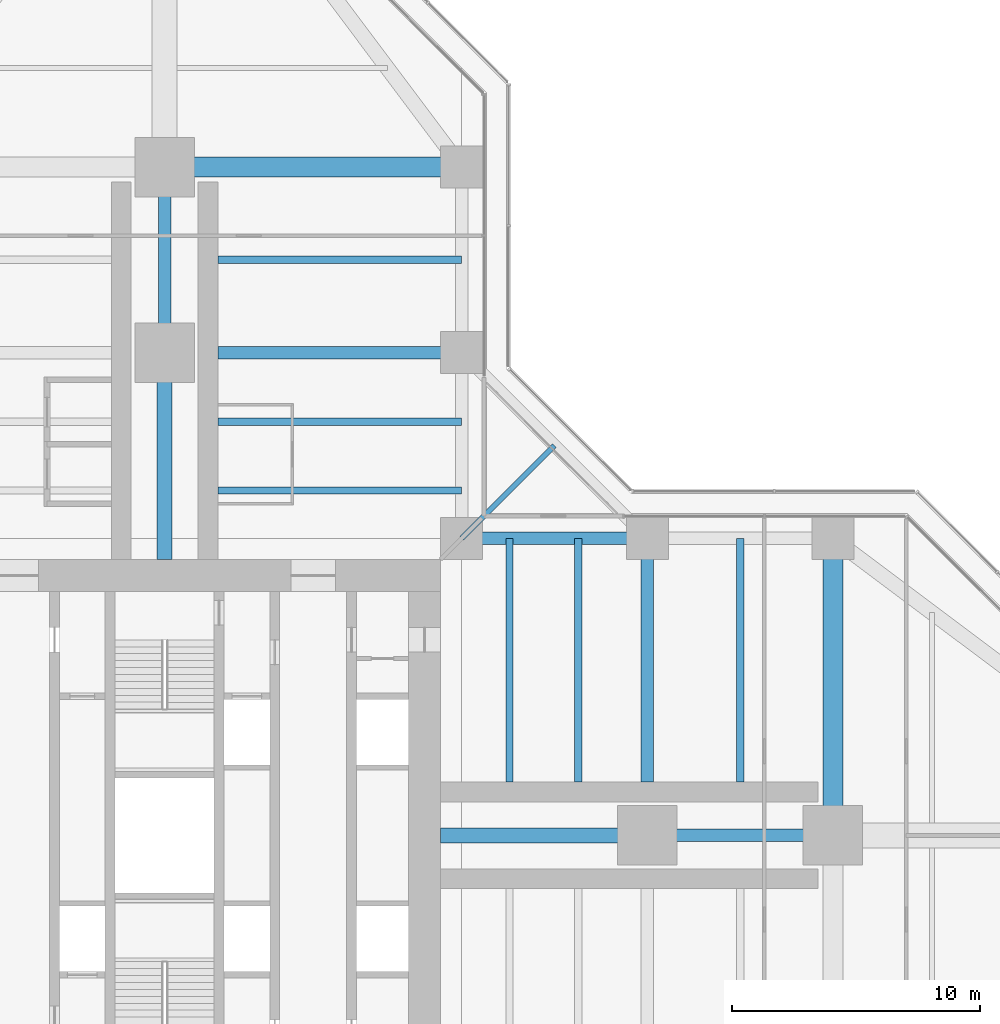
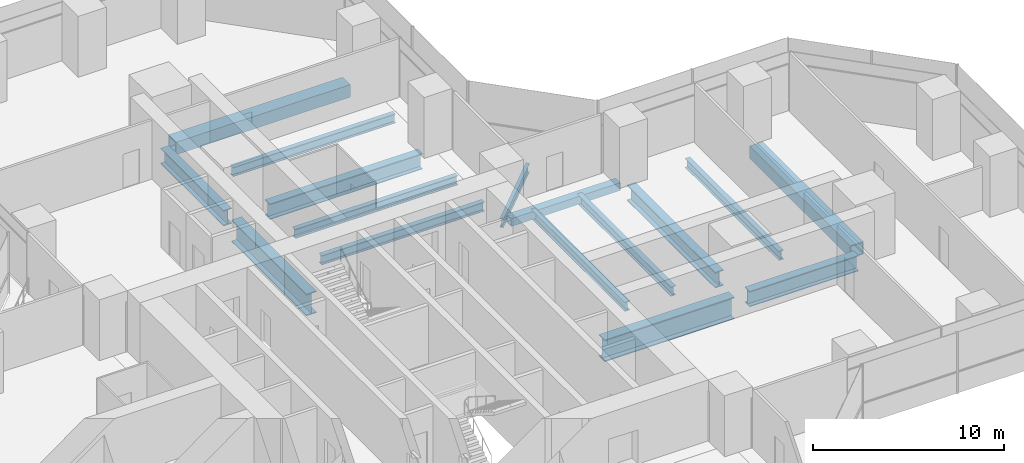
# One storey, part 10 of 22: 16 beams.
"""IFC4 building model written with IfcOpenShell, lengths in metres."""

from ifc_helpers import new_model, si_unit, direction, frame, origin, origin_2d, place, context, subcontext, project, spatial, hollow_rectangle, i_section, extrude, material, material_profile, profile_set, type_object, element, save


model = new_model("IFC4")

# Units and contexts
model_context = context("Model", 3, precision=1e-05, world=origin(), true_north=direction((0.0, 1.0)))
body_context = subcontext(model_context, "Body", "Model", "MODEL_VIEW")
ifc_project = project(units=[si_unit("LENGTHUNIT", "METRE"), si_unit("AREAUNIT", "SQUARE_METRE"), si_unit("VOLUMEUNIT", "CUBIC_METRE"), si_unit("PLANEANGLEUNIT", "RADIAN"), si_unit("MASSUNIT", "GRAM", prefix="KILO")], contexts=[model_context])

# Site, building, storey
site_placement = place(None, origin())
site = spatial("IfcSite", under=ifc_project, at=site_placement, CompositionType="ELEMENT")
building_placement = place(site_placement, origin())
building = spatial("IfcBuilding", under=site, at=building_placement, Name="Mizan Broadcast Tower", CompositionType="ELEMENT")
storey_placement = place(building_placement, frame((0.0, 0.0, 70.800048828125)))
storey = spatial("IfcBuildingStorey", under=building, at=storey_placement, Name="L14", CompositionType="ELEMENT", Elevation=70.800048828125)

# Beams
ifc_material_1 = material(Name="Steel S355", Category="steel")
ifc_material_profile_1 = material_profile(ifc_material_1, hollow_rectangle(XDim=0.5, YDim=0.5, WallThickness=0.030029296875, at=origin_2d()), Name="BOX 500x500x30")
ifc_profile_set_1 = profile_set([ifc_material_profile_1], Name="Steel S355")
beam_type_1 = type_object("IfcBeamType", Name="EDGE BEAM BOX 500x500x30", PredefinedType="SPANDREL", material=ifc_profile_set_1)
beam_1_placement = place(storey_placement, frame((12.449951171875, 12.0, -0.380126953125), z_axis=(1.0, 0.0, 0.0), x_axis=(0.0, 1.0, 0.0)))
element("IfcBeam", 1, at=beam_1_placement, inside=storey, type_object=beam_type_1, Name="Edge beam BOX 500x500x30 L14 east arm", PredefinedType="SPANDREL", context=body_context, shape_type="SweptSolid", body=[
    extrude(hollow_rectangle(XDim=0.5, YDim=0.5, WallThickness=0.030029296875, at=origin_2d()), origin(), (0.0, 0.0, 1.0), 6.60009765625),
])
ifc_material_2 = material(Name="Steel S460", Category="steel")
ifc_material_profile_2 = material_profile(ifc_material_2, hollow_rectangle(XDim=0.800048828125, YDim=0.800048828125, WallThickness=0.050048828125, at=origin_2d()), Name="BOX 800x800x50")
ifc_profile_set_2 = profile_set([ifc_material_profile_2], Name="Steel S460")
beam_type_2 = type_object("IfcBeamType", Name="GIRDER BOX 800x800x50", PredefinedType="BEAM", material=ifc_profile_set_2)
for number, where, z_axis, x_axis, name in (
    (2, (27.0, 11.280029296875, -0.530029296875), (0.0, -1.0, 0.0), (1.0, 0.0, 0.0), "Girder BOX 800x800x50 L14 east arm"),
    (3, (11.280029296875, 27.0, -0.530029296875), (-1.0, 0.0, 0.0), (0.0, -1.0, 0.0), "Girder BOX 800x800x50 L14 north arm"),
):
    element("IfcBeam", number, at=place(storey_placement, frame(where, z_axis=z_axis, x_axis=x_axis)), inside=storey, type_object=beam_type_2, Name=name, PredefinedType="BEAM", context=body_context, shape_type="SweptSolid", body=[
        extrude(hollow_rectangle(XDim=0.800048828125, YDim=0.800048828125, WallThickness=0.050048828125, at=origin_2d()), origin(), (0.0, 0.0, 1.0), 10.56005859375),
    ])
ifc_material_3 = material(Name="Steel S460", Category="steel")
ifc_material_profile_3 = material_profile(ifc_material_3, i_section(OverallWidth=0.5, OverallDepth=1.0, WebThickness=0.02490234375, FlangeThickness=0.050048828125, at=origin_2d()), Name="WPG 1000x500")
ifc_profile_set_3 = profile_set([ifc_material_profile_3], Name="Steel S460")
beam_type_3 = type_object("IfcBeamType", Name="GIRDER WPG 1000x500", PredefinedType="BEAM", material=ifc_profile_set_3)
beam_2_placement = place(storey_placement, frame((19.949951171875, 0.0, -0.630126953125), z_axis=(1.0, 0.0, 0.0), x_axis=(0.0, 1.0, 0.0)))
element("IfcBeam", 4, at=beam_2_placement, inside=storey, type_object=beam_type_3, Name="Girder WPG 1000x500 L14 east arm", PredefinedType="BEAM", context=body_context, shape_type="SweptSolid", body=[
    extrude(i_section(OverallWidth=0.5, OverallDepth=1.0, WebThickness=0.02490234375, FlangeThickness=0.050048828125, at=origin_2d()), origin(), (0.0, 0.0, 1.0), 6.60009765625),
])
beam_3_placement = place(storey_placement, frame((19.5, 11.408935546875, -0.630126953125), z_axis=(0.0, -1.0, 0.0), x_axis=(1.0, 0.0, 0.0)))
element("IfcBeam", 5, at=beam_3_placement, inside=storey, type_object=beam_type_3, Name="Girder WPG 1000x500 L14 east arm", PredefinedType="BEAM", context=body_context, shape_type="SweptSolid", body=[
    extrude(i_section(OverallWidth=0.5, OverallDepth=1.0, WebThickness=0.02490234375, FlangeThickness=0.050048828125, at=origin_2d()), origin(), (0.0, 0.0, 1.0), 9.259033203125),
])
beam_4_placement = place(storey_placement, frame((0.0, 19.949951171875, -0.630126953125), z_axis=(0.0, 1.0, 0.0), x_axis=(-1.0, 0.0, 0.0)))
element("IfcBeam", 6, at=beam_4_placement, inside=storey, type_object=beam_type_3, Name="Girder WPG 1000x500 L14 north arm", PredefinedType="BEAM", context=body_context, shape_type="SweptSolid", body=[
    extrude(i_section(OverallWidth=0.5, OverallDepth=1.0, WebThickness=0.02490234375, FlangeThickness=0.050048828125, at=origin_2d()), origin(), (0.0, 0.0, 1.0), 6.60009765625),
])
beam_5_placement = place(storey_placement, frame((11.408935546875, 19.5, -0.630126953125), z_axis=(-1.0, 0.0, 0.0), x_axis=(0.0, -1.0, 0.0)))
element("IfcBeam", 7, at=beam_5_placement, inside=storey, type_object=beam_type_3, Name="Girder WPG 1000x500 L14 north arm", PredefinedType="BEAM", context=body_context, shape_type="SweptSolid", body=[
    extrude(i_section(OverallWidth=0.5, OverallDepth=1.0, WebThickness=0.02490234375, FlangeThickness=0.050048828125, at=origin_2d()), origin(), (0.0, 0.0, 1.0), 9.259033203125),
])
ifc_material_4 = material(Name="Steel S460", Category="steel")
ifc_material_profile_4 = material_profile(ifc_material_4, i_section(OverallWidth=0.60009765625, OverallDepth=1.39990234375, WebThickness=0.02490234375, FlangeThickness=0.06005859375, at=origin_2d()), Name="WPG 1400x600")
ifc_profile_set_4 = profile_set([ifc_material_profile_4], Name="Steel S460")
beam_type_4 = type_object("IfcBeamType", Name="GIRDER WPG 1400x600", PredefinedType="BEAM", material=ifc_profile_set_4)
for number, where, z_axis, x_axis, name in (
    (8, (11.14990234375, 0.0, -0.830078125), (1.0, 0.0, 0.0), (0.0, 1.0, 0.0), "Girder WPG 1400x600 L14 east arm"),
    (9, (0.0, 11.14990234375, -0.830078125), (0.0, 1.0, 0.0), (-1.0, 0.0, 0.0), "Girder WPG 1400x600 L14 north arm"),
):
    element("IfcBeam", number, at=place(storey_placement, frame(where, z_axis=z_axis, x_axis=x_axis)), inside=storey, type_object=beam_type_4, Name=name, PredefinedType="BEAM", context=body_context, shape_type="SweptSolid", body=[
        extrude(i_section(OverallWidth=0.60009765625, OverallDepth=1.39990234375, WebThickness=0.02490234375, FlangeThickness=0.06005859375, at=origin_2d()), origin(), (0.0, 0.0, 1.0), 7.84912109375),
    ])
ifc_material_5 = material(Name="Steel S355", Category="steel")
ifc_material_profile_5 = material_profile(ifc_material_5, i_section(OverallWidth=0.300048828125, OverallDepth=0.590087890625, WebThickness=0.012939453125, FlangeThickness=0.02490234375, FilletRadius=0.027099609375, at=origin_2d()), Name="HEA 600")
ifc_profile_set_5 = profile_set([ifc_material_profile_5], Name="Steel S355")
beam_type_5 = type_object("IfcBeamType", Name="SECONDARY BEAM HEA 600", PredefinedType="JOIST", material=ifc_profile_set_5)
for number, where, z_axis, x_axis, name in (
    (10, (13.933349609375, 12.0, -0.425048828125), (0.0, -1.0, 0.0), (1.0, 0.0, 0.0), "Secondary beam HEA 600 L14 east arm"),
    (11, (16.716552734375, 12.0, -0.425048828125), (0.0, -1.0, 0.0), (1.0, 0.0, 0.0), "Secondary beam HEA 600 L14 east arm"),
    (12, (23.25, 12.0, -0.425048828125), (0.0, -1.0, 0.0), (1.0, 0.0, 0.0), "Secondary beam HEA 600 L14 east arm"),
    (13, (12.0, 13.933349609375, -0.425048828125), (-1.0, 0.0, 0.0), (0.0, -1.0, 0.0), "Secondary beam HEA 600 L14 north arm"),
    (14, (12.0, 16.716552734375, -0.425048828125), (-1.0, 0.0, 0.0), (0.0, -1.0, 0.0), "Secondary beam HEA 600 L14 north arm"),
    (15, (12.0, 23.25, -0.425048828125), (-1.0, 0.0, 0.0), (0.0, -1.0, 0.0), "Secondary beam HEA 600 L14 north arm"),
):
    element("IfcBeam", number, at=place(storey_placement, frame(where, z_axis=z_axis, x_axis=x_axis)), inside=storey, type_object=beam_type_5, Name=name, PredefinedType="JOIST", context=body_context, shape_type="SweptSolid", body=[
        extrude(i_section(OverallWidth=0.300048828125, OverallDepth=0.590087890625, WebThickness=0.012939453125, FlangeThickness=0.02490234375, FilletRadius=0.027099609375, at=origin_2d()), origin(), (0.0, 0.0, 1.0), 9.85009765625),
    ])
ifc_material_6 = material(Name="Steel S355", Category="steel")
ifc_material_profile_6 = material_profile(ifc_material_6, i_section(OverallWidth=0.2099609375, OverallDepth=0.550048828125, WebThickness=0.010986328125, FlangeThickness=0.01708984375, FilletRadius=0.02392578125, at=origin_2d()), Name="IPE 550")
ifc_profile_set_6 = profile_set([ifc_material_profile_6], Name="Steel S355")
beam_type_6 = type_object("IfcBeamType", Name="SECONDARY BEAM IPE 550", PredefinedType="JOIST", material=ifc_profile_set_6)
beam_6_placement = place(storey_placement, frame((12.0, 12.0, -0.405029296875), z_axis=(0.707106781187, 0.707106781187, 0.0), x_axis=(-0.707106781187, 0.707106781187, 0.0)))
element("IfcBeam", 16, at=beam_6_placement, inside=storey, type_object=beam_type_6, Name="Winter garden beam L14 E", PredefinedType="JOIST", context=body_context, shape_type="SweptSolid", body=[
    extrude(i_section(OverallWidth=0.2099609375, OverallDepth=0.550048828125, WebThickness=0.010986328125, FlangeThickness=0.01708984375, FilletRadius=0.02392578125, at=origin_2d()), origin(), (0.0, 0.0, 1.0), 5.30322265625),
])

save(model, "model.ifc")
